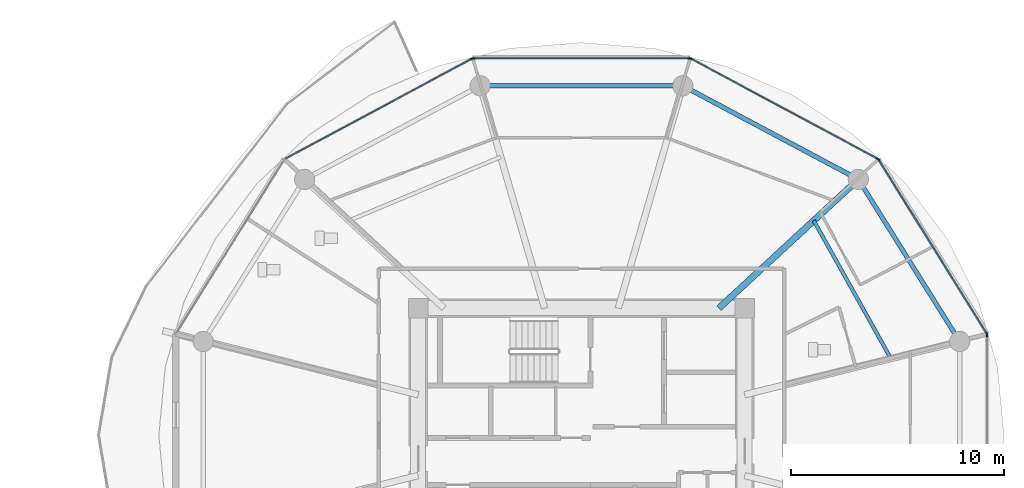
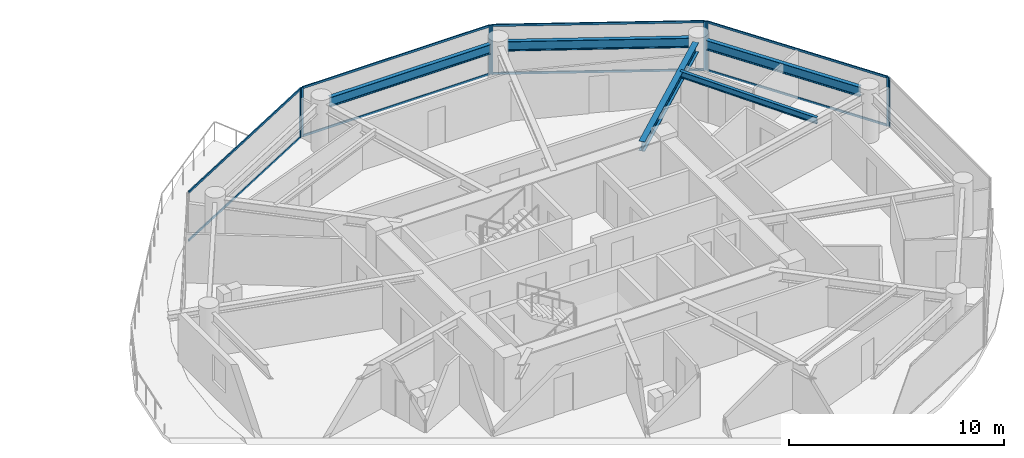
# One storey, part 13 of 26: 16 members, 5 beams, 5 elements without a shape of their own.
"""IFC4 building model written with IfcOpenShell, lengths in metres."""

from ifc_helpers import new_model, si_unit, direction, frame, origin, origin_2d, place, context, subcontext, project, spatial, rectangle, i_section, extrude, source, transform, mapped, material, layer, layer_set, material_profile, profile_set, type_object, type_shapes, element, aggregate, save


model = new_model("IFC4")

# Units and contexts
model_context = context("Model", 3, precision=1e-05, world=origin(), true_north=direction((0.0, 1.0)))
body_context = subcontext(model_context, "Body", "Model", "MODEL_VIEW")
ifc_project = project(units=[si_unit("LENGTHUNIT", "METRE"), si_unit("AREAUNIT", "SQUARE_METRE"), si_unit("VOLUMEUNIT", "CUBIC_METRE"), si_unit("PLANEANGLEUNIT", "RADIAN"), si_unit("MASSUNIT", "GRAM", prefix="KILO")], contexts=[model_context])

# Site, building, storey
site_placement = place(None, origin())
site = spatial("IfcSite", under=ifc_project, at=site_placement, CompositionType="ELEMENT")
building_placement = place(site_placement, origin())
building = spatial("IfcBuilding", under=site, at=building_placement, Name="Norrkilde Senior Care Towers", CompositionType="ELEMENT")
storey_placement = place(building_placement, frame((0.0, 0.0, 67.35009765625)))
storey = spatial("IfcBuildingStorey", under=building, at=storey_placement, Name="L20", CompositionType="ELEMENT", Elevation=67.35009765625)

# Beams
ifc_material_1 = material(Name="Steel S355", Category="steel")
ifc_material_profile_1 = material_profile(ifc_material_1, i_section(OverallWidth=0.2099609375, OverallDepth=0.550048828125, WebThickness=0.010986328125, FlangeThickness=0.01708984375, FilletRadius=0.02392578125, at=origin_2d()), Name="IPE 550")
ifc_profile_set_1 = profile_set([ifc_material_profile_1], Name="Steel S355")
beam_type_1 = type_object("IfcBeamType", Name="Perimeter Ring Spandrel Z1 IPE550", PredefinedType="SPANDREL", material=ifc_profile_set_1)
shared_shape_1 = source(origin(), body_context, "Body", "SweptSolid", [
    extrude(i_section(OverallWidth=0.2099609375, OverallDepth=0.550048828125, WebThickness=0.010986328125, FlangeThickness=0.01708984375, FilletRadius=0.02392578125, at=origin_2d()), origin(), (0.0, 0.0, 1.0), 8.090576171875),
])
beam_1_placement = place(storey_placement, frame((45.494140625, 4.755859375, 2.514892578125), z_axis=(-0.530004364821, 0.84799491347, 0.0), x_axis=(-0.84799491347, -0.530004364821, 0.0)))
element("IfcBeam", 1, at=beam_1_placement, inside=storey, type_object=beam_type_1, Name="L20 Drum E Perimeter Spandrel 01", PredefinedType="SPANDREL", context=body_context, shape_type="MappedRepresentation", body=[
    mapped(shared_shape_1, transform((0.0, 0.0, 0.0), x_axis=(1.0, 0.0, 0.0), y_axis=(0.0, 1.0, 0.0), z_axis=(0.0, 0.0, 1.0), scale=1.0)),
])
shared_shape_2 = source(origin(), body_context, "Body", "SweptSolid", [
    extrude(i_section(OverallWidth=0.2099609375, OverallDepth=0.550048828125, WebThickness=0.010986328125, FlangeThickness=0.01708984375, FilletRadius=0.02392578125, at=origin_2d()), origin(), (0.0, 0.0, 1.0), 8.452880859375),
])
beam_2_placement = place(storey_placement, frame((40.591552734375, 12.190185546875, 2.514892578125), z_axis=(-0.882368931134, 0.470558252898, 0.0), x_axis=(-0.470558252898, -0.882368931134, 0.0)))
element("IfcBeam", 2, at=beam_2_placement, inside=storey, type_object=beam_type_1, Name="L20 Drum E Perimeter Spandrel 02", PredefinedType="SPANDREL", context=body_context, shape_type="MappedRepresentation", body=[
    mapped(shared_shape_2, transform((0.0, 0.0, 0.0), x_axis=(1.0, 0.0, 0.0), y_axis=(0.0, 1.0, 0.0), z_axis=(0.0, 0.0, 1.0), scale=1.0)),
])
ifc_material_profile_2 = material_profile(ifc_material_1, i_section(OverallWidth=0.300048828125, OverallDepth=0.550048828125, WebThickness=0.014892578125, FlangeThickness=0.029052734375, FilletRadius=0.027099609375, at=origin_2d()), Name="HEB 550")
ifc_profile_set_2 = profile_set([ifc_material_profile_2], Name="Steel S355")
beam_type_2 = type_object("IfcBeamType", Name="Radial Floor Beam Z1 HEB550", PredefinedType="BEAM", material=ifc_profile_set_2)
shared_shape_3 = source(origin(), body_context, "Body", "SweptSolid", [
    extrude(i_section(OverallWidth=0.300048828125, OverallDepth=0.550048828125, WebThickness=0.014892578125, FlangeThickness=0.029052734375, FilletRadius=0.027099609375, at=origin_2d()), origin(), (0.0, 0.0, 1.0), 8.459716796875),
])
type_shapes(beam_type_2, [shared_shape_3])
beam_3_placement = place(storey_placement, frame((34.44140625, 5.949951171875, 2.514892578125), z_axis=(0.734573269108, 0.678529374686, 0.0), x_axis=(-0.678529374686, 0.734573269108, 0.0)))
element("IfcBeam", 3, at=beam_3_placement, inside=storey, type_object=beam_type_2, Name="L20 Drum E Radial Floor Beam 02", PredefinedType="BEAM", context=body_context, shape_type="MappedRepresentation", body=[
    mapped(shared_shape_3, transform((0.0, 0.0, 0.0), x_axis=(1.0, 0.0, 0.0), y_axis=(0.0, 1.0, 0.0), z_axis=(0.0, 0.0, 1.0), scale=1.0)),
])
shared_shape_4 = source(origin(), body_context, "Body", "SweptSolid", [
    extrude(i_section(OverallWidth=0.2099609375, OverallDepth=0.550048828125, WebThickness=0.010986328125, FlangeThickness=0.01708984375, FilletRadius=0.02392578125, at=origin_2d()), origin(), (0.0, 0.0, 1.0), 8.62841796875),
])
type_shapes(beam_type_1, [shared_shape_1, shared_shape_2, shared_shape_4])
beam_4_placement = place(storey_placement, frame((32.314208984375, 16.37255859375, 2.514892578125), z_axis=(-1.0, 0.0, 0.0), x_axis=(0.0, -1.0, 0.0)))
element("IfcBeam", 4, at=beam_4_placement, inside=storey, type_object=beam_type_1, Name="L20 Drum E Perimeter Spandrel 03", PredefinedType="SPANDREL", context=body_context, shape_type="MappedRepresentation", body=[
    mapped(shared_shape_4, transform((0.0, 0.0, 0.0), x_axis=(1.0, 0.0, 0.0), y_axis=(0.0, 1.0, 0.0), z_axis=(0.0, 0.0, 1.0), scale=1.0)),
])
ifc_material_profile_3 = material_profile(ifc_material_1, i_section(OverallWidth=0.169921875, OverallDepth=0.360107421875, WebThickness=0.008056640625, FlangeThickness=0.0126953125, FilletRadius=0.01806640625, at=origin_2d()), Name="IPE 360")
ifc_profile_set_3 = profile_set([ifc_material_profile_3], Name="Steel S355")
beam_type_3 = type_object("IfcBeamType", Name="Secondary Floor Joist IPE360", PredefinedType="JOIST", material=ifc_profile_set_3)
shared_shape_5 = source(origin(), body_context, "Body", "SweptSolid", [
    extrude(i_section(OverallWidth=0.169921875, OverallDepth=0.360107421875, WebThickness=0.008056640625, FlangeThickness=0.0126953125, FilletRadius=0.01806640625, at=origin_2d()), origin(), (0.0, 0.0, 1.0), 7.40771484375),
])
type_shapes(beam_type_3, [shared_shape_5])
beam_5_placement = place(storey_placement, frame((42.500732421875, 3.589111328125, 2.60986328125), z_axis=(-0.488167754092, 0.872749817453, 0.0), x_axis=(-0.872749817453, -0.488167754092, 0.0)))
element("IfcBeam", 5, at=beam_5_placement, inside=storey, type_object=beam_type_3, Name="L20 Drum E Secondary Floor Joist 1", PredefinedType="JOIST", context=body_context, shape_type="MappedRepresentation", body=[
    mapped(shared_shape_5, transform((0.0, 0.0, 0.0), x_axis=(1.0, 0.0, 0.0), y_axis=(0.0, 1.0, 0.0), z_axis=(0.0, 0.0, 1.0), scale=1.0)),
])

# Curtain wall, members
ifc_material_2 = material(Name="Triple Low-E Insulated Glazing", Category="glass")
ifc_layer = layer(ifc_material_2, 0.199951171875)
ifc_layer_set = layer_set([ifc_layer], Name="Triple Low-E Insulated Glazing")
curtain_wall_type = type_object("IfcCurtainWallType", Name="CW2 Zone 1 Memory Care Curtain Wall", PredefinedType="NOTDEFINED", material=ifc_layer_set)
curtain_wall_1_placement = place(storey_placement, origin())
curtain_wall_1 = element("IfcCurtainWall", 6, at=curtain_wall_1_placement, inside=storey, type_object=curtain_wall_type, Name="L20 Drum E Curtain Wall 00", PredefinedType="NOTDEFINED")
ifc_material_3 = material(Name="Anodised Aluminium", Category="aluminium")
ifc_material_profile_4 = material_profile(ifc_material_3, rectangle(XDim=0.06494140625, YDim=0.159912109375, at=origin_2d()), Name="ALU MULL 65x160")
ifc_profile_set_4 = profile_set([ifc_material_profile_4], Name="Anodised Aluminium")
member_type_1 = type_object("IfcMemberType", Name="Curtain Wall Mullion Z1-Z2 65x160", PredefinedType="MULLION", material=ifc_profile_set_4)
shared_shape_6 = source(origin(), body_context, "Body", "SweptSolid", [
    extrude(rectangle(XDim=0.06494140625, YDim=0.159912109375, at=origin_2d()), origin(), (0.0, 0.0, 1.0), 2.789794921875),
])
type_shapes(member_type_1, [shared_shape_6])
member_1_placement = place(storey_placement, frame((41.93310546875, 12.898193359375, 0.0), z_axis=(0.0, 0.0, 1.0), x_axis=(0.849305943117, 0.527900951871, 0.0)))
member_1 = element("IfcMember", 7, at=member_1_placement, type_object=member_type_1, Name="CW-2 mullion 1", PredefinedType="MULLION", context=body_context, shape_type="MappedRepresentation", body=[
    mapped(shared_shape_6, transform((0.0, 0.0, 0.0), x_axis=(1.0, 0.0, 0.0), y_axis=(0.0, 1.0, 0.0), z_axis=(0.0, 0.0, 1.0), scale=1.0)),
])
member_2_placement = place(storey_placement, frame((46.9921875, 4.7587890625, 0.0), z_axis=(0.0, 0.0, 1.0), x_axis=(0.849305943117, 0.527900951871, 0.0)))
member_2 = element("IfcMember", 8, at=member_2_placement, type_object=member_type_1, Name="CW-2 mullion 2", PredefinedType="MULLION", context=body_context, shape_type="MappedRepresentation", body=[
    mapped(shared_shape_6, transform((0.0, 0.0, 0.0), x_axis=(1.0, 0.0, 0.0), y_axis=(0.0, 1.0, 0.0), z_axis=(0.0, 0.0, 1.0), scale=1.0)),
])

curtain_wall_2_placement = place(storey_placement, origin())
curtain_wall_2 = element("IfcCurtainWall", 9, at=curtain_wall_2_placement, inside=storey, type_object=curtain_wall_type, Name="L20 Drum E Curtain Wall 01", PredefinedType="NOTDEFINED")
member_3_placement = place(storey_placement, frame((33.122314453125, 17.641845703125, 0.0), z_axis=(0.0, 0.0, 1.0), x_axis=(0.472607802456, 0.881272866403, 0.0)))
member_3 = element("IfcMember", 10, at=member_3_placement, type_object=member_type_1, Name="CW-2 mullion 1", PredefinedType="MULLION", context=body_context, shape_type="MappedRepresentation", body=[
    mapped(shared_shape_6, transform((0.0, 0.0, 0.0), x_axis=(1.0, 0.0, 0.0), y_axis=(0.0, 1.0, 0.0), z_axis=(0.0, 0.0, 1.0), scale=1.0)),
])
member_4_placement = place(storey_placement, frame((41.88720703125, 12.941162109375, 0.0), z_axis=(0.0, 0.0, 1.0), x_axis=(0.472607802456, 0.881272866403, 0.0)))
member_4 = element("IfcMember", 11, at=member_4_placement, type_object=member_type_1, Name="CW-2 mullion 2", PredefinedType="MULLION", context=body_context, shape_type="MappedRepresentation", body=[
    mapped(shared_shape_6, transform((0.0, 0.0, 0.0), x_axis=(1.0, 0.0, 0.0), y_axis=(0.0, 1.0, 0.0), z_axis=(0.0, 0.0, 1.0), scale=1.0)),
])

curtain_wall_3_placement = place(storey_placement, origin())
curtain_wall_3 = element("IfcCurtainWall", 12, at=curtain_wall_3_placement, inside=storey, type_object=curtain_wall_type, Name="L20 Drum E Curtain Wall 02", PredefinedType="NOTDEFINED")
member_5_placement = place(storey_placement, frame((22.93896484375, 17.6572265625, 0.0), z_axis=(0.0, 0.0, 1.0), x_axis=(0.0, 1.0, 0.0)))
member_5 = element("IfcMember", 13, at=member_5_placement, type_object=member_type_1, Name="CW-2 mullion 1", PredefinedType="MULLION", context=body_context, shape_type="MappedRepresentation", body=[
    mapped(shared_shape_6, transform((0.0, 0.0, 0.0), x_axis=(1.0, 0.0, 0.0), y_axis=(0.0, 1.0, 0.0), z_axis=(0.0, 0.0, 1.0), scale=1.0)),
])
member_6_placement = place(storey_placement, frame((33.06103515625, 17.6572265625, 0.0), z_axis=(0.0, 0.0, 1.0), x_axis=(0.0, 1.0, 0.0)))
member_6 = element("IfcMember", 14, at=member_6_placement, type_object=member_type_1, Name="CW-2 mullion 2", PredefinedType="MULLION", context=body_context, shape_type="MappedRepresentation", body=[
    mapped(shared_shape_6, transform((0.0, 0.0, 0.0), x_axis=(1.0, 0.0, 0.0), y_axis=(0.0, 1.0, 0.0), z_axis=(0.0, 0.0, 1.0), scale=1.0)),
])

# Curtain wall, member
curtain_wall_4_placement = place(storey_placement, origin())
curtain_wall_4 = element("IfcCurtainWall", 15, at=curtain_wall_4_placement, inside=storey, type_object=curtain_wall_type, Name="L20 Drum E Curtain Wall 03", PredefinedType="NOTDEFINED")
member_7_placement = place(storey_placement, frame((22.877685546875, 17.641845703125, 0.0), z_axis=(0.0, 0.0, 1.0), x_axis=(-0.472607802456, 0.881272866403, 0.0)))
member_7 = element("IfcMember", 16, at=member_7_placement, type_object=member_type_1, Name="CW-2 mullion 2", PredefinedType="MULLION", context=body_context, shape_type="MappedRepresentation", body=[
    mapped(shared_shape_6, transform((0.0, 0.0, 0.0), x_axis=(1.0, 0.0, 0.0), y_axis=(0.0, 1.0, 0.0), z_axis=(0.0, 0.0, 1.0), scale=1.0)),
])

curtain_wall_5_placement = place(storey_placement, origin())
curtain_wall_5 = element("IfcCurtainWall", 17, at=curtain_wall_5_placement, inside=storey, type_object=curtain_wall_type, Name="L20 Drum E Curtain Wall 11", PredefinedType="NOTDEFINED")
member_8_placement = place(storey_placement, frame((47.009521484375, 4.69873046875, 0.0), z_axis=(0.0, 0.0, 1.0), x_axis=(1.0, 0.0, 0.0)))
member_8 = element("IfcMember", 18, at=member_8_placement, type_object=member_type_1, Name="CW-2 mullion 1", PredefinedType="MULLION", context=body_context, shape_type="MappedRepresentation", body=[
    mapped(shared_shape_6, transform((0.0, 0.0, 0.0), x_axis=(1.0, 0.0, 0.0), y_axis=(0.0, 1.0, 0.0), z_axis=(0.0, 0.0, 1.0), scale=1.0)),
])
aggregate(curtain_wall_5, [member_8])

# Member
ifc_material_profile_5 = material_profile(ifc_material_3, rectangle(XDim=0.06005859375, YDim=0.1201171875, at=origin_2d()), Name="ALU TRAN 60x120")
ifc_profile_set_5 = profile_set([ifc_material_profile_5], Name="Anodised Aluminium")
member_type_2 = type_object("IfcMemberType", Name="Curtain Wall Transom Typical 60x120", PredefinedType="USERDEFINED", material=ifc_profile_set_5)
shared_shape_7 = source(origin(), body_context, "Body", "SweptSolid", [
    extrude(rectangle(XDim=0.06005859375, YDim=0.1201171875, at=origin_2d()), origin(), (0.0, 0.0, 1.0), 9.5185546875),
])
member_9_placement = place(storey_placement, frame((41.9501953125, 12.87060546875, 0.02978515625), z_axis=(0.527901620669, -0.849305527413, 0.0), x_axis=(0.849305527413, 0.527901620669, 0.0)))
member_9 = element("IfcMember", 19, at=member_9_placement, type_object=member_type_2, Name="CW-2 transom 1.1", ObjectType="TRANSOM", PredefinedType="USERDEFINED", context=body_context, shape_type="MappedRepresentation", body=[
    mapped(shared_shape_7, transform((0.0, 0.0, 0.0), x_axis=(1.0, 0.0, 0.0), y_axis=(0.0, 1.0, 0.0), z_axis=(0.0, 0.0, 1.0), scale=1.0)),
])

member_10_placement = place(storey_placement, frame((41.9501953125, 12.87060546875, 2.760009765625), z_axis=(0.527901620669, -0.849305527413, 0.0), x_axis=(0.849305527413, 0.527901620669, 0.0)))
member_10 = element("IfcMember", 20, at=member_10_placement, type_object=member_type_2, Name="CW-2 transom 1.2", ObjectType="TRANSOM", PredefinedType="USERDEFINED", context=body_context, shape_type="MappedRepresentation", body=[
    mapped(shared_shape_7, transform((0.0, 0.0, 0.0), x_axis=(1.0, 0.0, 0.0), y_axis=(0.0, 1.0, 0.0), z_axis=(0.0, 0.0, 1.0), scale=1.0)),
])

aggregate(curtain_wall_1, [member_1, member_2, member_9, member_10])

shared_shape_8 = source(origin(), body_context, "Body", "SweptSolid", [
    extrude(rectangle(XDim=0.06005859375, YDim=0.1201171875, at=origin_2d()), origin(), (0.0, 0.0, 1.0), 9.880859375),
])
member_11_placement = place(storey_placement, frame((33.15087890625, 17.62646484375, 0.02978515625), z_axis=(0.881267204043, -0.47261836092, 0.0), x_axis=(0.47261836092, 0.881267204043, 0.0)))
member_11 = element("IfcMember", 21, at=member_11_placement, type_object=member_type_2, Name="CW-2 transom 1.1", ObjectType="TRANSOM", PredefinedType="USERDEFINED", context=body_context, shape_type="MappedRepresentation", body=[
    mapped(shared_shape_8, transform((0.0, 0.0, 0.0), x_axis=(1.0, 0.0, 0.0), y_axis=(0.0, 1.0, 0.0), z_axis=(0.0, 0.0, 1.0), scale=1.0)),
])

member_12_placement = place(storey_placement, frame((33.15087890625, 17.62646484375, 2.760009765625), z_axis=(0.881267204043, -0.47261836092, 0.0), x_axis=(0.47261836092, 0.881267204043, 0.0)))
member_12 = element("IfcMember", 22, at=member_12_placement, type_object=member_type_2, Name="CW-2 transom 1.2", ObjectType="TRANSOM", PredefinedType="USERDEFINED", context=body_context, shape_type="MappedRepresentation", body=[
    mapped(shared_shape_8, transform((0.0, 0.0, 0.0), x_axis=(1.0, 0.0, 0.0), y_axis=(0.0, 1.0, 0.0), z_axis=(0.0, 0.0, 1.0), scale=1.0)),
])

aggregate(curtain_wall_2, [member_3, member_4, member_11, member_12])

member_13_placement = place(storey_placement, frame((14.141357421875, 12.95654296875, 0.02978515625), z_axis=(0.881267204043, 0.47261836092, 0.0), x_axis=(-0.47261836092, 0.881267204043, 0.0)))
member_13 = element("IfcMember", 23, at=member_13_placement, type_object=member_type_2, Name="CW-2 transom 1.1", ObjectType="TRANSOM", PredefinedType="USERDEFINED", context=body_context, shape_type="MappedRepresentation", body=[
    mapped(shared_shape_8, transform((0.0, 0.0, 0.0), x_axis=(1.0, 0.0, 0.0), y_axis=(0.0, 1.0, 0.0), z_axis=(0.0, 0.0, 1.0), scale=1.0)),
])

member_14_placement = place(storey_placement, frame((14.141357421875, 12.95654296875, 2.760009765625), z_axis=(0.881267204043, 0.47261836092, 0.0), x_axis=(-0.47261836092, 0.881267204043, 0.0)))
member_14 = element("IfcMember", 24, at=member_14_placement, type_object=member_type_2, Name="CW-2 transom 1.2", ObjectType="TRANSOM", PredefinedType="USERDEFINED", context=body_context, shape_type="MappedRepresentation", body=[
    mapped(shared_shape_8, transform((0.0, 0.0, 0.0), x_axis=(1.0, 0.0, 0.0), y_axis=(0.0, 1.0, 0.0), z_axis=(0.0, 0.0, 1.0), scale=1.0)),
])

aggregate(curtain_wall_4, [member_7, member_13, member_14])

shared_shape_9 = source(origin(), body_context, "Body", "SweptSolid", [
    extrude(rectangle(XDim=0.06005859375, YDim=0.1201171875, at=origin_2d()), origin(), (0.0, 0.0, 1.0), 10.05712890625),
])
type_shapes(member_type_2, [shared_shape_7, shared_shape_8, shared_shape_9])
member_15_placement = place(storey_placement, frame((22.971435546875, 17.6572265625, 0.02978515625), z_axis=(1.0, 0.0, 0.0), x_axis=(0.0, 1.0, 0.0)))
member_15 = element("IfcMember", 25, at=member_15_placement, type_object=member_type_2, Name="CW-2 transom 1.1", ObjectType="TRANSOM", PredefinedType="USERDEFINED", context=body_context, shape_type="MappedRepresentation", body=[
    mapped(shared_shape_9, transform((0.0, 0.0, 0.0), x_axis=(1.0, 0.0, 0.0), y_axis=(0.0, 1.0, 0.0), z_axis=(0.0, 0.0, 1.0), scale=1.0)),
])

member_16_placement = place(storey_placement, frame((22.971435546875, 17.6572265625, 2.760009765625), z_axis=(1.0, 0.0, 0.0), x_axis=(0.0, 1.0, 0.0)))
member_16 = element("IfcMember", 26, at=member_16_placement, type_object=member_type_2, Name="CW-2 transom 1.2", ObjectType="TRANSOM", PredefinedType="USERDEFINED", context=body_context, shape_type="MappedRepresentation", body=[
    mapped(shared_shape_9, transform((0.0, 0.0, 0.0), x_axis=(1.0, 0.0, 0.0), y_axis=(0.0, 1.0, 0.0), z_axis=(0.0, 0.0, 1.0), scale=1.0)),
])

aggregate(curtain_wall_3, [member_5, member_6, member_15, member_16])

save(model, "model.ifc")
